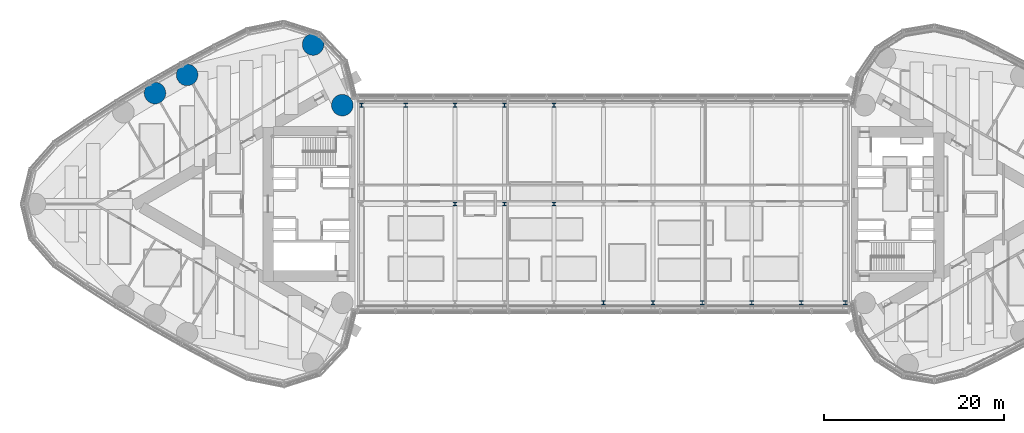
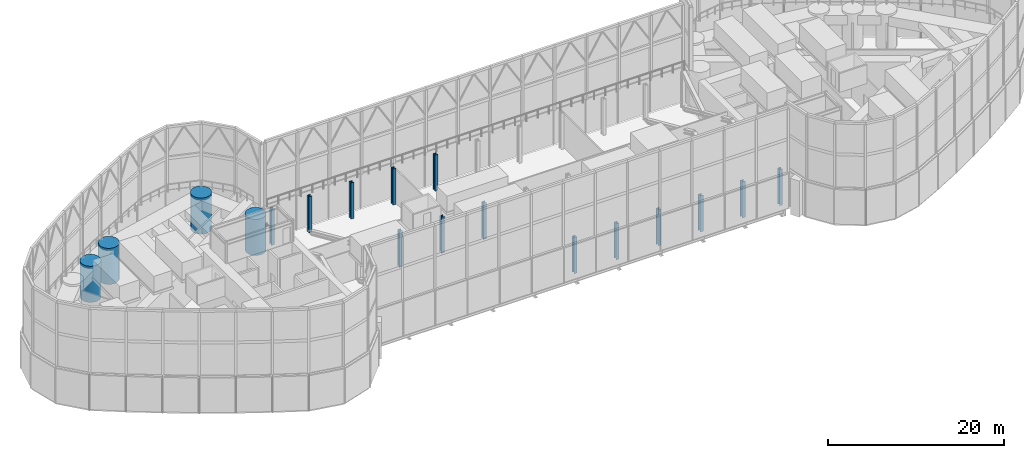
# One storey, part 3 of 33: 18 columns.
"""IFC4 building model written with IfcOpenShell, lengths in metres."""

from ifc_helpers import new_model, si_unit, direction, frame, origin, origin_2d, place, context, subcontext, project, spatial, circle, i_section, extrude, material, material_profile, profile_set, type_object, element, save


model = new_model("IFC4")

# Units and contexts
model_context = context("Model", 3, precision=1e-05, world=origin(), true_north=direction((0.0, 1.0)))
body_context = subcontext(model_context, "Body", "Model", "MODEL_VIEW")
ifc_project = project(units=[si_unit("LENGTHUNIT", "METRE"), si_unit("AREAUNIT", "SQUARE_METRE"), si_unit("VOLUMEUNIT", "CUBIC_METRE"), si_unit("PLANEANGLEUNIT", "RADIAN"), si_unit("MASSUNIT", "GRAM", prefix="KILO")], contexts=[model_context])

# Site, building, storey
site_placement = place(None, origin())
site = spatial("IfcSite", under=ifc_project, at=site_placement, CompositionType="ELEMENT")
building_placement = place(site_placement, origin())
building = spatial("IfcBuilding", under=site, at=building_placement, Name="Lancet Gate Hotel", CompositionType="ELEMENT")
storey_placement = place(building_placement, frame((0.0, 0.0, 268.300048828125)))
storey = spatial("IfcBuildingStorey", under=building, at=storey_placement, Name="L70", CompositionType="ELEMENT", Elevation=268.300048828125)

# Columns
ifc_material_1 = material(Name="Steel S355", Category="steel")
ifc_material_profile_1 = material_profile(ifc_material_1, i_section(OverallWidth=0.412109375, OverallDepth=0.4365234375, WebThickness=0.035888671875, FlangeThickness=0.05810546875, FilletRadius=0.01513671875, at=origin_2d()), Name="UKC 356x406x467")
ifc_profile_set_1 = profile_set([ifc_material_profile_1], Name="Steel S355")
column_type_1 = type_object("IfcColumnType", Name="Block column UKC 356x406x467", PredefinedType="COLUMN", material=ifc_profile_set_1)
for number, where, z_axis, x_axis, name in (
    (1, (0.0, -11.0, 0.0), (0.0, 0.0, 1.0), (1.0, 0.0, 0.0), "Block column S5 L70"),
    (2, (5.5, -11.0, 0.0), (0.0, 0.0, 1.0), (1.0, 0.0, 0.0), "Block column S6 L70"),
    (3, (11.0, -11.0, 0.0), (0.0, 0.0, 1.0), (1.0, 0.0, 0.0), "Block column S7 L70"),
    (4, (16.5, -11.0, 0.0), (0.0, 0.0, 1.0), (1.0, 0.0, 0.0), "Block column S8 L70"),
    (5, (22.0, -11.0, 0.0), (0.0, 0.0, 1.0), (1.0, 0.0, 0.0), "Block column S9 L70"),
    (6, (26.89990234375, -11.0, 0.0), (0.0, 0.0, 1.0), (1.0, 0.0, 0.0), "Block column S10 L70"),
    (7, (-16.5, 0.0, 0.0), (0.0, 0.0, 1.0), (1.0, 0.0, 0.0), "Block column M2 L70"),
    (8, (-11.0, 0.0, 0.0), (0.0, 0.0, 1.0), (1.0, 0.0, 0.0), "Block column M3 L70"),
    (9, (-5.5, 0.0, 0.0), (0.0, 0.0, 1.0), (1.0, 0.0, 0.0), "Block column M4 L70"),
    (10, (-26.89990234375, 11.0, 0.0), (0.0, 0.0, 1.0), (1.0, 0.0, 0.0), "Block column N0 L70"),
    (11, (-22.0, 11.0, 0.0), (0.0, 0.0, 1.0), (1.0, 0.0, 0.0), "Block column N1 L70"),
    (12, (-16.5, 11.0, 0.0), (0.0, 0.0, 1.0), (1.0, 0.0, 0.0), "Block column N2 L70"),
    (13, (-11.0, 11.0, 0.0), (0.0, 0.0, 1.0), (1.0, 0.0, 0.0), "Block column N3 L70"),
    (14, (-5.5, 11.0, 0.0), (0.0, 0.0, 1.0), (1.0, 0.0, 0.0), "Block column N4 L70"),
):
    element("IfcColumn", number, at=place(storey_placement, frame(where, z_axis=z_axis, x_axis=x_axis)), inside=storey, type_object=column_type_1, Name=name, PredefinedType="COLUMN", context=body_context, shape_type="SweptSolid", body=[
        extrude(i_section(OverallWidth=0.412109375, OverallDepth=0.4365234375, WebThickness=0.035888671875, FlangeThickness=0.05810546875, FilletRadius=0.01513671875, at=origin_2d()), origin(), (0.0, 0.0, 1.0), 5.0),
    ])
ifc_material_2 = material(Name="Concrete C50/60", Category="concrete")
ifc_material_profile_2 = material_profile(ifc_material_2, circle(Radius=1.199951171875, at=origin_2d()), Name="RC D2400")
ifc_profile_set_2 = profile_set([ifc_material_profile_2], Name="Concrete C50/60")
column_type_2 = type_object("IfcColumnType", Name="Perimeter column RC D2400", PredefinedType="COLUMN", material=ifc_profile_set_2)
for number, where, z_axis, x_axis, name in (
    (15, (-32.301025390625, 17.745361328125, 0.0), (0.0, 0.0, 1.0), (1.0, 0.0, 0.0), "T1 column CS L70"),
    (16, (-29.050048828125, 11.0, 0.0), (0.0, 0.0, 1.0), (1.0, 0.0, 0.0), "T1 column IS L70"),
    (17, (-46.316650390625, 14.365478515625, 0.0), (0.0, 0.0, 1.0), (1.0, 0.0, 0.0), "T1 column OS1 L70"),
    (18, (-49.89013671875, 12.340087890625, 0.0), (0.0, 0.0, 1.0), (1.0, 0.0, 0.0), "T1 column OS2 L70"),
):
    element("IfcColumn", number, at=place(storey_placement, frame(where, z_axis=z_axis, x_axis=x_axis)), inside=storey, type_object=column_type_2, Name=name, PredefinedType="COLUMN", context=body_context, shape_type="SweptSolid", body=[
        extrude(circle(Radius=1.199951171875, at=origin_2d()), origin(), (0.0, 0.0, 1.0), 5.0),
    ])

save(model, "model.ifc")
